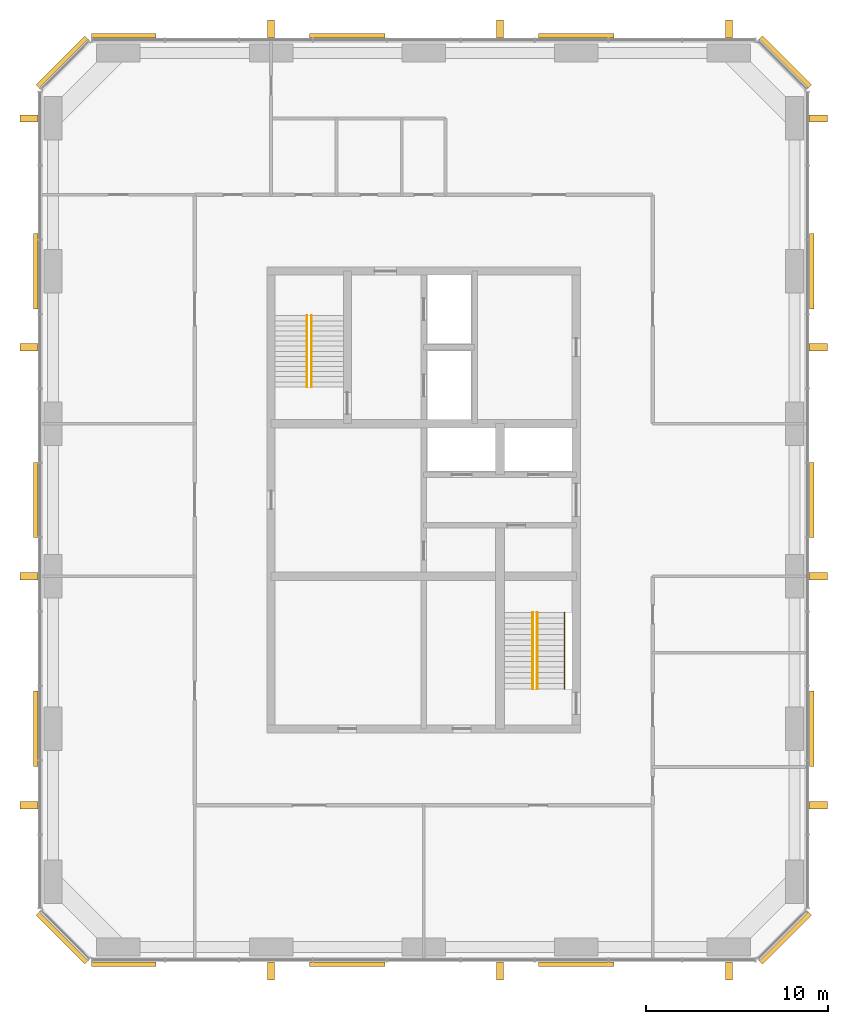
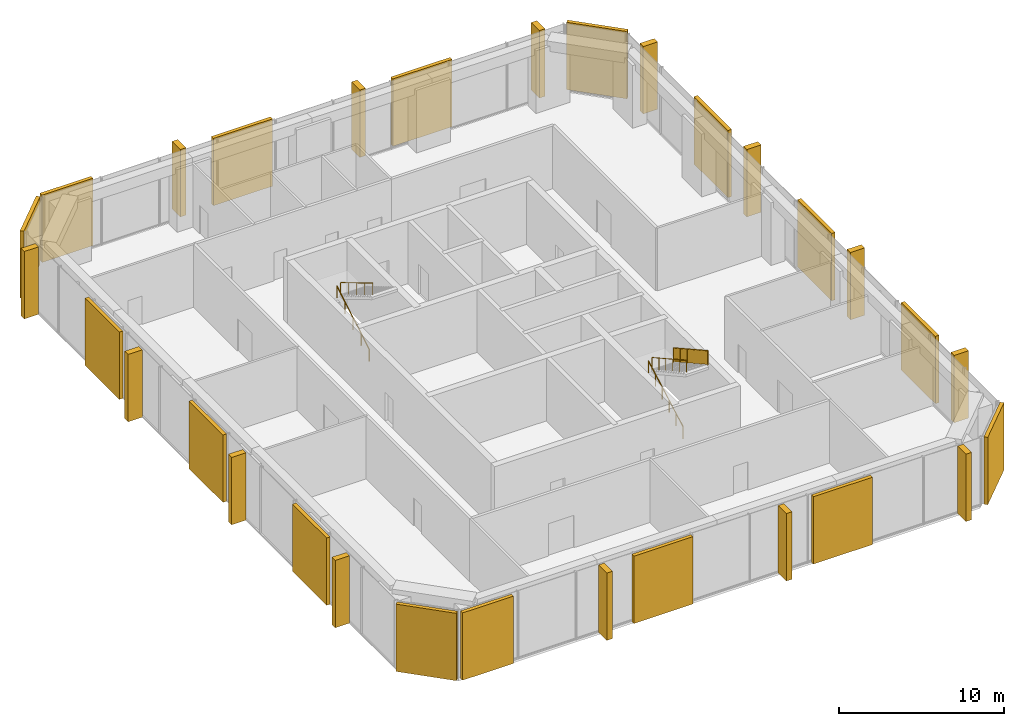
# One storey, part 9 of 9: 16 coverings, 14 shading devices, 5 railings.
"""IFC4 building model written with IfcOpenShell, lengths in metres."""

import ifcopenshell
import ifcopenshell.guid

model = None  # the IFC model being written
_history = None  # IfcOwnerHistory: only IFC2X3 demands one
_inside = {}  # id of a spatial element -> (the spatial element, [elements in it])
_under = {}  # id of a project, library or spatial element -> (it, [spatial elements below it])
_declared = {}  # id of a project -> (the project, [libraries it declares])
_typed = {}  # id of a type object -> (the type object, [elements of that type])
_made_of = {}  # id of a material, layer set ... -> (it, [elements and type objects made of it])


def new_model(schema):
    """Start an empty IFC model of exactly this schema.

    Asked for "IFC4X3", IfcOpenShell would pick the latest addendum, in which some entities
    have other attributes; the version numbers below select the first issue.
    IFC2X3 requires an IfcOwnerHistory on every rooted entity: one is made here for all.
    """
    global model, _history
    if schema == "IFC4X3":
        model = ifcopenshell.file(schema_version=(4, 3, 0, 0))
    else:
        model = ifcopenshell.file(schema=schema)
    _inside.clear()
    _under.clear()
    _declared.clear()
    _typed.clear()
    _made_of.clear()
    _history = None
    if model.schema == "IFC2X3":
        org = make("IfcOrganization", Name="unknown")
        user = make(
            "IfcPersonAndOrganization",
            ThePerson=make("IfcPerson", FamilyName="unknown"),
            TheOrganization=org,
        )
        app = make(
            "IfcApplication",
            ApplicationDeveloper=org,
            Version="unknown",
            ApplicationFullName="unknown",
            ApplicationIdentifier="unknown",
        )
        _history = make(
            "IfcOwnerHistory",
            OwningUser=user,
            OwningApplication=app,
            ChangeAction="ADDED",
            CreationDate=0,
        )
    return model


def make(cls, **values):
    """One entity of the class cls with the attributes given. An attribute that is None is left unset."""
    return model.create_entity(
        cls, **{name: value for name, value in values.items() if value is not None}
    )


def rooted(cls, **values):
    """An entity with a GlobalId (a new one), such as an element, a storey or a relation."""
    return make(cls, GlobalId=ifcopenshell.guid.new(), OwnerHistory=_history, **values)


def si_unit(unit_type, name, prefix=None):
    """IfcSIUnit, for example si_unit("LENGTHUNIT", "METRE", prefix="MILLI")."""
    return make("IfcSIUnit", UnitType=unit_type, Prefix=prefix, Name=name)


def assignment(units):
    """IfcUnitAssignment: the units of a project."""
    return None if units is None else make("IfcUnitAssignment", Units=units)


def point(xyz):
    """IfcCartesianPoint."""
    return None if xyz is None else make("IfcCartesianPoint", Coordinates=xyz)


def direction(xyz):
    """IfcDirection."""
    return None if xyz is None else make("IfcDirection", DirectionRatios=xyz)


def frame(location, z_axis=None, x_axis=None):
    """IfcAxis2Placement3D, a coordinate frame: its origin and axes. An axis left out is left unset."""
    return make(
        "IfcAxis2Placement3D",
        Location=point(location),
        Axis=direction(z_axis),
        RefDirection=direction(x_axis),
    )


def frame_2d(location, x_axis=None):
    """IfcAxis2Placement2D, a coordinate frame in the plane: its origin and x axis."""
    return make(
        "IfcAxis2Placement2D", Location=point(location), RefDirection=direction(x_axis)
    )


def origin():
    """The frame at (0, 0, 0) with its axes left unset."""
    return frame((0.0, 0.0, 0.0))


def origin_2d():
    """The frame at (0, 0) in the plane with its x axis left unset."""
    return frame_2d((0.0, 0.0))


def place(relative_to, where):
    """IfcLocalPlacement: puts the frame where relative to a parent placement (None: the world)."""
    return make(
        "IfcLocalPlacement", PlacementRelTo=relative_to, RelativePlacement=where
    )


def context(
    kind, dimensions, precision=None, world=None, true_north=None, identifier=None
):
    """IfcGeometricRepresentationContext, for example the 3D "Model" context."""
    return make(
        "IfcGeometricRepresentationContext",
        ContextIdentifier=identifier,
        ContextType=kind,
        CoordinateSpaceDimension=dimensions,
        Precision=precision,
        WorldCoordinateSystem=world,
        TrueNorth=true_north,
    )


def subcontext(parent, identifier, kind, view, scale=None):
    """IfcGeometricRepresentationSubContext, for example "Body" below "Model"."""
    return make(
        "IfcGeometricRepresentationSubContext",
        ContextIdentifier=identifier,
        ContextType=kind,
        ParentContext=parent,
        TargetScale=scale,
        TargetView=view,
    )


def project(units=None, contexts=None):
    """IfcProject with its units and contexts."""
    return rooted(
        "IfcProject",
        Name="project",
        RepresentationContexts=contexts,
        UnitsInContext=assignment(units),
    )


def spatial(cls, under=None, at=None, **own):
    """A site, building, storey or space (cls), placed at a placement, below another one or the project."""
    s = rooted(cls, ObjectPlacement=at, **own)
    if under is not None:
        _under.setdefault(under.id(), (under, []))[1].append(s)
    return s


def polyline(points):
    """IfcPolyline through the points."""
    return make("IfcPolyline", Points=[point(p) for p in points])


def profile(cls, at=None, kind="AREA", **sizes):
    """A parametric profile (cls). Its sizes go by their IFC names, for example OverallWidth=200.0."""
    return make(cls, ProfileType=kind, Position=at, **sizes)


def rectangle(**sizes):
    """IfcRectangleProfileDef."""
    return profile("IfcRectangleProfileDef", **sizes)


def circle(**sizes):
    """IfcCircleProfileDef."""
    return profile("IfcCircleProfileDef", **sizes)


def outline(outer, holes=None, kind="AREA"):
    """IfcArbitraryClosedProfileDef: a profile drawn as a closed curve; with holes, ...WithVoids."""
    if holes is None:
        return make("IfcArbitraryClosedProfileDef", ProfileType=kind, OuterCurve=outer)
    return make(
        "IfcArbitraryProfileDefWithVoids",
        ProfileType=kind,
        OuterCurve=outer,
        InnerCurves=holes,
    )


def extrude(swept, where, along, depth):
    """IfcExtrudedAreaSolid: the profile swept, set in the frame where, extruded along a direction by depth."""
    return make(
        "IfcExtrudedAreaSolid",
        SweptArea=swept,
        Position=where,
        ExtrudedDirection=direction(along),
        Depth=depth,
    )


def shape(context_of_items, identifier, shape_type, items):
    """IfcShapeRepresentation: the items that make up one representation, for example the "Body"."""
    return make(
        "IfcShapeRepresentation",
        ContextOfItems=context_of_items,
        RepresentationIdentifier=identifier,
        RepresentationType=shape_type,
        Items=items,
    )


def material(Name=None, Category=None):
    """IfcMaterial."""
    return make("IfcMaterial", Name=Name, Category=Category)


def layer(
    of_material, thickness, ventilated=None, Name=None, Category=None, Priority=None
):
    """IfcMaterialLayer: one layer of a wall or slab, of a material (None: an air gap)."""
    return make(
        "IfcMaterialLayer",
        Material=of_material,
        LayerThickness=thickness,
        IsVentilated=ventilated,
        Name=Name,
        Category=Category,
        Priority=Priority,
    )


def layer_set(layers, Name=None):
    """IfcMaterialLayerSet."""
    return make("IfcMaterialLayerSet", MaterialLayers=layers, LayerSetName=Name)


def made_of(thing, what):
    """Note that an element or type object is made of a material, layer set ...; save() writes the relation."""
    if what is not None:
        _made_of.setdefault(what.id(), (what, []))[1].append(thing)
    return thing


def type_object(cls, material=None, **own):
    """A type object (cls), such as IfcWallType, which elements share."""
    return made_of(rooted(cls, **own), material)


def element(
    cls,
    number,
    at=None,
    inside=None,
    cuts=None,
    type_object=None,
    material=None,
    context=None,
    identifier="Body",
    shape_type=None,
    held_by="IfcProductDefinitionShape",
    body=None,
    shapes=None,
    **own,
):
    """One element of the class cls, such as IfcWall. Its Tag is "e" and its number.

    at: its placement. inside: the storey or other place that contains it. cuts: it is an
    opening in that element (IfcRelVoidsElement). A single representation is given by context,
    identifier, shape_type and body (its items); several are given by shapes. held_by: the class
    of the entity that holds the representations. save() writes the other relations.
    """
    e = rooted(cls, Tag="e%d" % number, ObjectPlacement=at, **own)
    if body is not None:
        shapes = [shape(context, identifier, shape_type, body)]
    if shapes is not None:
        e.Representation = make(held_by, Representations=shapes)
    if inside is not None:
        _inside.setdefault(inside.id(), (inside, []))[1].append(e)
    if cuts is not None:
        rooted(
            "IfcRelVoidsElement", RelatingBuildingElement=cuts, RelatedOpeningElement=e
        )
    if type_object is not None:
        _typed.setdefault(type_object.id(), (type_object, []))[1].append(e)
    return made_of(e, material)


def aggregate(whole, parts):
    """IfcRelAggregates: a whole, such as a stair, and the parts it consists of."""
    return rooted("IfcRelAggregates", RelatingObject=whole, RelatedObjects=parts)


def save(model, path):
    """Write the relations noted so far, then the file.

    IfcRelAggregates (storeys below a building ...), IfcRelContainedInSpatialStructure (elements
    in a storey), IfcRelDefinesByType, IfcRelAssociatesMaterial and IfcRelDeclares: one each for
    every whole, place, type object, material and project.
    """
    for whole, parts in _under.values():
        aggregate(whole, parts)
    for where, things in _inside.values():
        rooted(
            "IfcRelContainedInSpatialStructure",
            RelatedElements=things,
            RelatingStructure=where,
        )
    for kind, things in _typed.values():
        rooted("IfcRelDefinesByType", RelatedObjects=things, RelatingType=kind)
    for what, things in _made_of.values():
        rooted("IfcRelAssociatesMaterial", RelatedObjects=things, RelatingMaterial=what)
    for by, libraries in _declared.values():
        rooted("IfcRelDeclares", RelatingContext=by, RelatedDefinitions=libraries)
    model.write(path)


model = new_model("IFC4")

# Units and contexts
model_context = context("Model", 3, precision=1e-05, world=origin(), true_north=direction((0.0, 1.0)))
body_context = subcontext(model_context, "Body", "Model", "MODEL_VIEW")
ifc_project = project(units=[si_unit("LENGTHUNIT", "METRE"), si_unit("AREAUNIT", "SQUARE_METRE"), si_unit("VOLUMEUNIT", "CUBIC_METRE"), si_unit("PLANEANGLEUNIT", "RADIAN"), si_unit("MASSUNIT", "GRAM", prefix="KILO")], contexts=[model_context])

# Site, building, storey
site_placement = place(None, origin())
site = spatial("IfcSite", under=ifc_project, at=site_placement, CompositionType="ELEMENT")
building_placement = place(site_placement, origin())
building = spatial("IfcBuilding", under=site, at=building_placement, Name="Dunama Terrace Hotel", CompositionType="ELEMENT")
storey_placement = place(building_placement, frame((0.0, 0.0, 284.10009765625)))
storey = spatial("IfcBuildingStorey", under=building, at=storey_placement, Name="L73", CompositionType="ELEMENT", Elevation=284.10009765625)

# Railings
ifc_material_1 = material(Name="Stainless steel and laminated glass guard", Category="steel")
railing_type_1 = type_object("IfcRailingType", Name="Guard 1100", PredefinedType="GUARDRAIL", material=ifc_material_1)
railing_1_placement = place(storey_placement, frame((41.35009765625, 23.199951171875, 2.66650390625)))
element("IfcRailing", 1, at=railing_1_placement, inside=storey, type_object=railing_type_1, Name="Stair guard ST2 L73", PredefinedType="GUARDRAIL", context=body_context, shape_type="SweptSolid", body=[
    extrude(circle(Radius=0.02392578125, at=origin_2d()), frame((0.0, 0.0, 1.076171875), z_axis=(0.0, -0.874140497637, 0.485673131222), x_axis=(1.0, 0.0, 0.0)), (0.0, 0.0, 1.0), 4.8046875),
    extrude(circle(Radius=0.02099609375, at=origin_2d()), origin(), (0.0, 0.0, 1.0), 1.052001953125),
    extrude(circle(Radius=0.02099609375, at=origin_2d()), frame((0.0, -0.840087890625, 0.466796875)), (0.0, 0.0, 1.0), 1.052001953125),
    extrude(circle(Radius=0.02099609375, at=origin_2d()), frame((0.0, -1.679931640625, 0.933349609375)), (0.0, 0.0, 1.0), 1.052001953125),
    extrude(circle(Radius=0.02099609375, at=origin_2d()), frame((0.0, -2.52001953125, 1.400146484375)), (0.0, 0.0, 1.0), 1.052001953125),
    extrude(circle(Radius=0.02099609375, at=origin_2d()), frame((0.0, -3.35986328125, 1.86669921875)), (0.0, 0.0, 1.0), 1.052001953125),
    extrude(circle(Radius=0.02099609375, at=origin_2d()), frame((0.0, -4.199951171875, 2.33349609375)), (0.0, 0.0, 1.0), 1.052001953125),
    extrude(outline(polyline([(0.0048828125, 0.052734375), (0.835205078125, 0.513916015625), (0.835205078125, 1.5400390625), (0.0048828125, 1.078857421875), (0.0048828125, 0.052734375)])), frame((0.0087890625, 0.0, 0.0), z_axis=(-1.0, 0.0, 0.0), x_axis=(0.0, -1.0, 0.0)), (0.0, 0.0, 1.0), 0.017578125),
    extrude(outline(polyline([(0.0048828125, 0.052734375), (0.835205078125, 0.513916015625), (0.835205078125, 1.5400390625), (0.0048828125, 1.078857421875), (0.0048828125, 0.052734375)])), frame((0.0087890625, -0.840087890625, 0.466796875), z_axis=(-1.0, 0.0, 0.0), x_axis=(0.0, -1.0, 0.0)), (0.0, 0.0, 1.0), 0.017578125),
    extrude(outline(polyline([(0.0048828125, 0.052734375), (0.835205078125, 0.513916015625), (0.835205078125, 1.5400390625), (0.0048828125, 1.078857421875), (0.0048828125, 0.052734375)])), frame((0.0087890625, -1.679931640625, 0.933349609375), z_axis=(-1.0, 0.0, 0.0), x_axis=(0.0, -1.0, 0.0)), (0.0, 0.0, 1.0), 0.017578125),
    extrude(outline(polyline([(0.0048828125, 0.052734375), (0.835205078125, 0.513916015625), (0.835205078125, 1.5400390625), (0.0048828125, 1.078857421875), (0.0048828125, 0.052734375)])), frame((0.0087890625, -2.52001953125, 1.400146484375), z_axis=(-1.0, 0.0, 0.0), x_axis=(0.0, -1.0, 0.0)), (0.0, 0.0, 1.0), 0.017578125),
    extrude(outline(polyline([(0.0048828125, 0.052734375), (0.835205078125, 0.513916015625), (0.835205078125, 1.5400390625), (0.0048828125, 1.078857421875), (0.0048828125, 0.052734375)])), frame((0.0087890625, -3.35986328125, 1.86669921875), z_axis=(-1.0, 0.0, 0.0), x_axis=(0.0, -1.0, 0.0)), (0.0, 0.0, 1.0), 0.017578125),
])
ifc_material_2 = material(Name="Stainless steel handrail", Category="steel")
railing_type_2 = type_object("IfcRailingType", Name="Stair handrail 900", PredefinedType="HANDRAIL", material=ifc_material_2)
railing_2_placement = place(storey_placement, frame((27.175048828125, 35.625, 0.16650390625)))
element("IfcRailing", 2, at=railing_2_placement, inside=storey, type_object=railing_type_2, Name="Handrail ST1 L73", PredefinedType="HANDRAIL", context=body_context, shape_type="SweptSolid", body=[
    extrude(circle(Radius=0.02392578125, at=origin_2d()), frame((0.0, 0.0, 0.8759765625), z_axis=(0.0, 0.859272722373, 0.511517730471), x_axis=(-1.0, 0.0, 0.0)), (0.0, 0.0, 1.0), 4.56201171875),
    extrude(circle(Radius=0.02099609375, at=origin_2d()), origin(), (0.0, 0.0, 1.0), 0.851806640625),
    extrude(circle(Radius=0.02099609375, at=origin_2d()), frame((0.0, 0.97998046875, 0.58349609375)), (0.0, 0.0, 1.0), 0.851806640625),
    extrude(circle(Radius=0.02099609375, at=origin_2d()), frame((0.0, 1.9599609375, 1.166748046875)), (0.0, 0.0, 1.0), 0.851806640625),
    extrude(circle(Radius=0.02099609375, at=origin_2d()), frame((0.0, 2.93994140625, 1.75)), (0.0, 0.0, 1.0), 0.851806640625),
    extrude(circle(Radius=0.02099609375, at=origin_2d()), frame((0.0, 3.919921875, 2.33349609375)), (0.0, 0.0, 1.0), 0.851806640625),
])
railing_3_placement = place(storey_placement, frame((27.425048828125, 39.544921875, 2.66650390625)))
element("IfcRailing", 3, at=railing_3_placement, inside=storey, type_object=railing_type_2, Name="Handrail ST1 L73", PredefinedType="HANDRAIL", context=body_context, shape_type="SweptSolid", body=[
    extrude(circle(Radius=0.02392578125, at=origin_2d()), frame((0.0, 0.0, 0.8759765625), z_axis=(0.0, -0.859272722373, 0.511517730471), x_axis=(1.0, 0.0, 0.0)), (0.0, 0.0, 1.0), 4.56201171875),
    extrude(circle(Radius=0.02099609375, at=origin_2d()), origin(), (0.0, 0.0, 1.0), 0.851806640625),
    extrude(circle(Radius=0.02099609375, at=origin_2d()), frame((0.0, -0.97998046875, 0.58349609375)), (0.0, 0.0, 1.0), 0.851806640625),
    extrude(circle(Radius=0.02099609375, at=origin_2d()), frame((0.0, -1.9599609375, 1.166748046875)), (0.0, 0.0, 1.0), 0.851806640625),
    extrude(circle(Radius=0.02099609375, at=origin_2d()), frame((0.0, -2.93994140625, 1.75)), (0.0, 0.0, 1.0), 0.851806640625),
    extrude(circle(Radius=0.02099609375, at=origin_2d()), frame((0.0, -3.919921875, 2.33349609375)), (0.0, 0.0, 1.0), 0.851806640625),
])
railing_4_placement = place(storey_placement, frame((39.60009765625, 19.0, 0.16650390625)))
element("IfcRailing", 4, at=railing_4_placement, inside=storey, type_object=railing_type_2, Name="Handrail ST2 L73", PredefinedType="HANDRAIL", context=body_context, shape_type="SweptSolid", body=[
    extrude(circle(Radius=0.02392578125, at=origin_2d()), frame((0.0, 0.0, 0.8759765625), z_axis=(0.0, 0.874140497637, 0.485673131222), x_axis=(-1.0, 0.0, 0.0)), (0.0, 0.0, 1.0), 4.8046875),
    extrude(circle(Radius=0.02099609375, at=origin_2d()), origin(), (0.0, 0.0, 1.0), 0.851806640625),
    extrude(circle(Radius=0.02099609375, at=origin_2d()), frame((0.0, 0.840087890625, 0.466796875)), (0.0, 0.0, 1.0), 0.851806640625),
    extrude(circle(Radius=0.02099609375, at=origin_2d()), frame((0.0, 1.679931640625, 0.933349609375)), (0.0, 0.0, 1.0), 0.851806640625),
    extrude(circle(Radius=0.02099609375, at=origin_2d()), frame((0.0, 2.52001953125, 1.400146484375)), (0.0, 0.0, 1.0), 0.851806640625),
    extrude(circle(Radius=0.02099609375, at=origin_2d()), frame((0.0, 3.35986328125, 1.86669921875)), (0.0, 0.0, 1.0), 0.851806640625),
    extrude(circle(Radius=0.02099609375, at=origin_2d()), frame((0.0, 4.199951171875, 2.33349609375)), (0.0, 0.0, 1.0), 0.851806640625),
])
railing_5_placement = place(storey_placement, frame((39.85009765625, 23.199951171875, 2.66650390625)))
element("IfcRailing", 5, at=railing_5_placement, inside=storey, type_object=railing_type_2, Name="Handrail ST2 L73", PredefinedType="HANDRAIL", context=body_context, shape_type="SweptSolid", body=[
    extrude(circle(Radius=0.02392578125, at=origin_2d()), frame((0.0, 0.0, 0.8759765625), z_axis=(0.0, -0.874140497637, 0.485673131222), x_axis=(1.0, 0.0, 0.0)), (0.0, 0.0, 1.0), 4.8046875),
    extrude(circle(Radius=0.02099609375, at=origin_2d()), origin(), (0.0, 0.0, 1.0), 0.851806640625),
    extrude(circle(Radius=0.02099609375, at=origin_2d()), frame((0.0, -0.840087890625, 0.466796875)), (0.0, 0.0, 1.0), 0.851806640625),
    extrude(circle(Radius=0.02099609375, at=origin_2d()), frame((0.0, -1.679931640625, 0.933349609375)), (0.0, 0.0, 1.0), 0.851806640625),
    extrude(circle(Radius=0.02099609375, at=origin_2d()), frame((0.0, -2.52001953125, 1.400146484375)), (0.0, 0.0, 1.0), 0.851806640625),
    extrude(circle(Radius=0.02099609375, at=origin_2d()), frame((0.0, -3.35986328125, 1.86669921875)), (0.0, 0.0, 1.0), 0.851806640625),
    extrude(circle(Radius=0.02099609375, at=origin_2d()), frame((0.0, -4.199951171875, 2.33349609375)), (0.0, 0.0, 1.0), 0.851806640625),
])

# Coverings
ifc_material_3 = material(Name="Warm reconstituted stone panel", Category="masonry")
ifc_layer_1 = layer(ifc_material_3, 0.25)
ifc_layer_set_1 = layer_set([ifc_layer_1], Name="Stone diagonal panel")
covering_type = type_object("IfcCoveringType", Name="Stone diagonal panel", PredefinedType="CLADDING", material=ifc_layer_set_1)
covering_1_placement = place(storey_placement, frame((17.090087890625, 3.8369140625, 0.001953125), z_axis=(0.0, 0.0, 1.0), x_axis=(1.0, 0.0, 0.0)))
element("IfcCovering", 6, at=covering_1_placement, inside=storey, type_object=covering_type, Name="Stone diagonal panel L73", PredefinedType="CLADDING", context=body_context, shape_type="SweptSolid", body=[
    extrude(rectangle(XDim=3.570068359375, YDim=0.25, at=origin_2d()), origin(), (0.0, 0.0, 1.0), 4.99609375),
])
for number, where, z_axis, x_axis, name in (
    (7, (29.39990234375, 3.8369140625, 0.001953125), (0.0, 0.0, 1.0), (1.0, 0.0, 0.0), "Stone diagonal panel L73"),
    (8, (42.0, 3.8369140625, 0.001953125), (0.0, 0.0, 1.0), (1.0, 0.0, 0.0), "Stone diagonal panel L73"),
):
    element("IfcCovering", number, at=place(storey_placement, frame(where, z_axis=z_axis, x_axis=x_axis)), inside=storey, type_object=covering_type, Name=name, PredefinedType="CLADDING", context=body_context, shape_type="SweptSolid", body=[
        extrude(rectangle(XDim=4.14990234375, YDim=0.25, at=origin_2d()), origin(), (0.0, 0.0, 1.0), 4.99609375),
    ])
covering_2_placement = place(storey_placement, frame((53.507080078125, 5.29296875, 0.001953125), z_axis=(0.0, 0.0, 1.0), x_axis=(0.707106781187, 0.707106781187, 0.0)))
element("IfcCovering", 9, at=covering_2_placement, inside=storey, type_object=covering_type, Name="Stone diagonal panel L73", PredefinedType="CLADDING", context=body_context, shape_type="SweptSolid", body=[
    extrude(rectangle(XDim=3.808349609375, YDim=0.25, at=origin_2d()), origin(), (0.0, 0.0, 1.0), 4.99609375),
])
for number, where, z_axis, x_axis, name in (
    (10, (54.962890625, 16.800048828125, 0.001953125), (0.0, 0.0, 1.0), (0.0, 1.0, 0.0), "Stone diagonal panel L73"),
    (11, (54.962890625, 29.39990234375, 0.001953125), (0.0, 0.0, 1.0), (0.0, 1.0, 0.0), "Stone diagonal panel L73"),
    (12, (54.962890625, 42.0, 0.001953125), (0.0, 0.0, 1.0), (0.0, 1.0, 0.0), "Stone diagonal panel L73"),
):
    element("IfcCovering", number, at=place(storey_placement, frame(where, z_axis=z_axis, x_axis=x_axis)), inside=storey, type_object=covering_type, Name=name, PredefinedType="CLADDING", context=body_context, shape_type="SweptSolid", body=[
        extrude(rectangle(XDim=4.14990234375, YDim=0.25, at=origin_2d()), origin(), (0.0, 0.0, 1.0), 4.99609375),
    ])
covering_3_placement = place(storey_placement, frame((53.507080078125, 53.507080078125, 0.001953125), z_axis=(0.0, 0.0, 1.0), x_axis=(-0.707106781187, 0.707106781187, 0.0)))
element("IfcCovering", 13, at=covering_3_placement, inside=storey, type_object=covering_type, Name="Stone diagonal panel L73", PredefinedType="CLADDING", context=body_context, shape_type="SweptSolid", body=[
    extrude(rectangle(XDim=3.808349609375, YDim=0.25, at=origin_2d()), origin(), (0.0, 0.0, 1.0), 4.99609375),
])
for number, where, z_axis, x_axis, name in (
    (14, (42.0, 54.962890625, 0.001953125), (0.0, 0.0, 1.0), (-1.0, 0.0, 0.0), "Stone diagonal panel L73"),
    (15, (29.39990234375, 54.962890625, 0.001953125), (0.0, 0.0, 1.0), (-1.0, 0.0, 0.0), "Stone diagonal panel L73"),
):
    element("IfcCovering", number, at=place(storey_placement, frame(where, z_axis=z_axis, x_axis=x_axis)), inside=storey, type_object=covering_type, Name=name, PredefinedType="CLADDING", context=body_context, shape_type="SweptSolid", body=[
        extrude(rectangle(XDim=4.14990234375, YDim=0.25, at=origin_2d()), origin(), (0.0, 0.0, 1.0), 4.99609375),
    ])
covering_4_placement = place(storey_placement, frame((17.090087890625, 54.962890625, 0.001953125), z_axis=(0.0, 0.0, 1.0), x_axis=(-1.0, 0.0, 0.0)))
element("IfcCovering", 16, at=covering_4_placement, inside=storey, type_object=covering_type, Name="Stone diagonal panel L73", PredefinedType="CLADDING", context=body_context, shape_type="SweptSolid", body=[
    extrude(rectangle(XDim=3.570068359375, YDim=0.25, at=origin_2d()), origin(), (0.0, 0.0, 1.0), 4.99609375),
])
covering_5_placement = place(storey_placement, frame((13.693115234375, 53.507080078125, 0.001953125), z_axis=(0.0, 0.0, 1.0), x_axis=(-0.707106781187, -0.707106781187, 0.0)))
element("IfcCovering", 17, at=covering_5_placement, inside=storey, type_object=covering_type, Name="Stone diagonal panel L73", PredefinedType="CLADDING", context=body_context, shape_type="SweptSolid", body=[
    extrude(rectangle(XDim=3.808349609375, YDim=0.25, at=origin_2d()), origin(), (0.0, 0.0, 1.0), 4.99609375),
])
for number, where, z_axis, x_axis, name in (
    (18, (12.237060546875, 42.0, 0.001953125), (0.0, 0.0, 1.0), (0.0, -1.0, 0.0), "Stone diagonal panel L73"),
    (19, (12.237060546875, 29.39990234375, 0.001953125), (0.0, 0.0, 1.0), (0.0, -1.0, 0.0), "Stone diagonal panel L73"),
    (20, (12.237060546875, 16.800048828125, 0.001953125), (0.0, 0.0, 1.0), (0.0, -1.0, 0.0), "Stone diagonal panel L73"),
):
    element("IfcCovering", number, at=place(storey_placement, frame(where, z_axis=z_axis, x_axis=x_axis)), inside=storey, type_object=covering_type, Name=name, PredefinedType="CLADDING", context=body_context, shape_type="SweptSolid", body=[
        extrude(rectangle(XDim=4.14990234375, YDim=0.25, at=origin_2d()), origin(), (0.0, 0.0, 1.0), 4.99609375),
    ])
covering_6_placement = place(storey_placement, frame((13.693115234375, 5.29296875, 0.001953125), z_axis=(0.0, 0.0, 1.0), x_axis=(0.707106781187, -0.707106781187, 0.0)))
element("IfcCovering", 21, at=covering_6_placement, inside=storey, type_object=covering_type, Name="Stone diagonal panel L73", PredefinedType="CLADDING", context=body_context, shape_type="SweptSolid", body=[
    extrude(rectangle(XDim=3.808349609375, YDim=0.25, at=origin_2d()), origin(), (0.0, 0.0, 1.0), 4.99609375),
])

# Shading devices
ifc_material_4 = material(Name="Warm reconstituted stone fin", Category="masonry")
ifc_layer_2 = layer(ifc_material_4, 0.39990234375)
ifc_layer_set_2 = layer_set([ifc_layer_2], Name="Warm stone fin 400x1000")
shading_device_type = type_object("IfcShadingDeviceType", Name="Warm stone fin 400x1000", PredefinedType="USERDEFINED", material=ifc_layer_set_2)
for number, where, z_axis, x_axis, name in (
    (22, (25.199951171875, 3.48193359375, 0.0), (0.0, 0.0, 1.0), (1.0, 0.0, 0.0), "Stone fin"),
    (23, (37.800048828125, 3.48193359375, 0.0), (0.0, 0.0, 1.0), (1.0, 0.0, 0.0), "Stone fin"),
    (24, (50.39990234375, 3.48193359375, 0.0), (0.0, 0.0, 1.0), (1.0, 0.0, 0.0), "Stone fin"),
    (25, (55.318115234375, 12.60009765625, 0.0), (0.0, 0.0, 1.0), (0.0, 1.0, 0.0), "Stone fin"),
    (26, (55.318115234375, 25.199951171875, 0.0), (0.0, 0.0, 1.0), (0.0, 1.0, 0.0), "Stone fin"),
    (27, (55.318115234375, 37.800048828125, 0.0), (0.0, 0.0, 1.0), (0.0, 1.0, 0.0), "Stone fin"),
    (28, (55.318115234375, 50.39990234375, 0.0), (0.0, 0.0, 1.0), (0.0, 1.0, 0.0), "Stone fin"),
    (29, (50.39990234375, 55.318115234375, 0.0), (0.0, 0.0, 1.0), (-1.0, 0.0, 0.0), "Stone fin"),
    (30, (37.800048828125, 55.318115234375, 0.0), (0.0, 0.0, 1.0), (-1.0, 0.0, 0.0), "Stone fin"),
    (31, (25.199951171875, 55.318115234375, 0.0), (0.0, 0.0, 1.0), (-1.0, 0.0, 0.0), "Stone fin"),
    (32, (11.882080078125, 50.39990234375, 0.0), (0.0, 0.0, 1.0), (0.0, -1.0, 0.0), "Stone fin"),
    (33, (11.882080078125, 37.800048828125, 0.0), (0.0, 0.0, 1.0), (0.0, -1.0, 0.0), "Stone fin"),
    (34, (11.882080078125, 25.199951171875, 0.0), (0.0, 0.0, 1.0), (0.0, -1.0, 0.0), "Stone fin"),
    (35, (11.882080078125, 12.60009765625, 0.0), (0.0, 0.0, 1.0), (0.0, -1.0, 0.0), "Stone fin"),
):
    element("IfcShadingDevice", number, at=place(storey_placement, frame(where, z_axis=z_axis, x_axis=x_axis)), inside=storey, type_object=shading_device_type, Name=name, ObjectType="FIN", PredefinedType="USERDEFINED", context=body_context, shape_type="SweptSolid", body=[
        extrude(rectangle(XDim=0.39990234375, YDim=1.0, at=origin_2d()), origin(), (0.0, 0.0, 1.0), 5.0),
    ])

save(model, "model.ifc")
